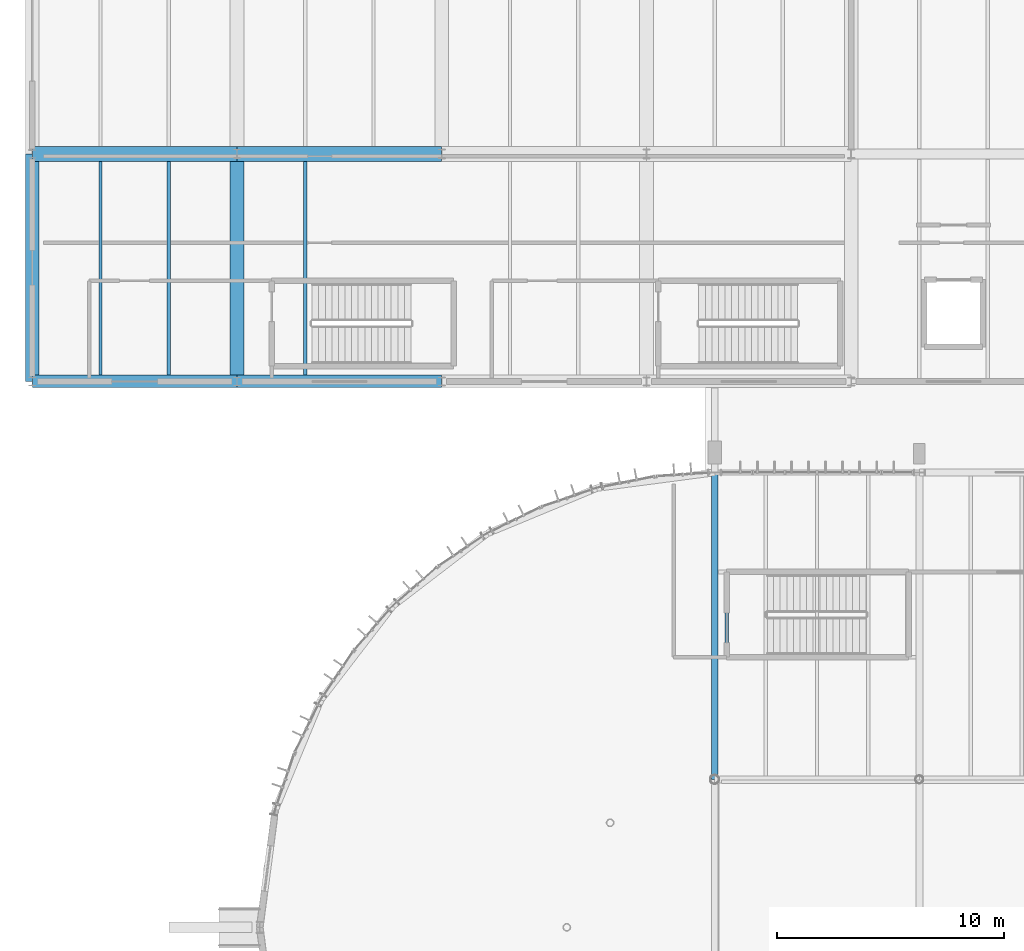
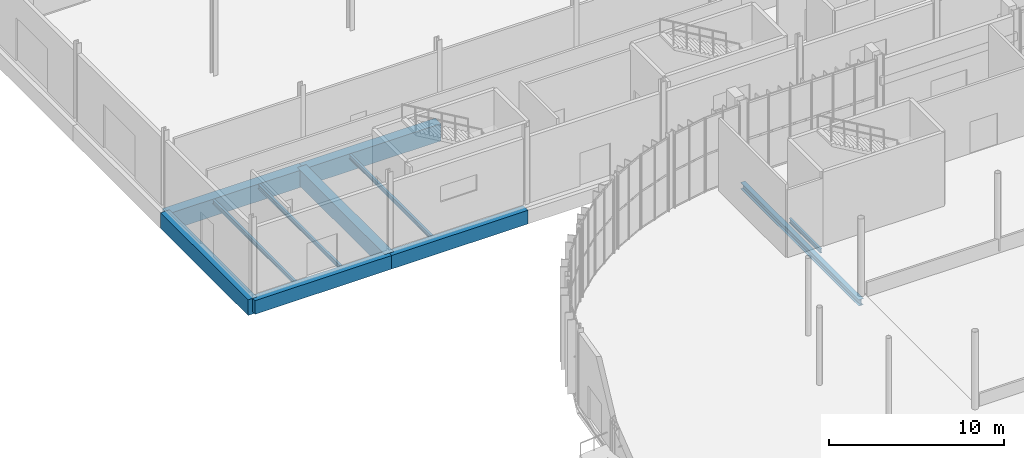
# One storey, part 58 of 158: 11 beams.
"""IFC4 building model written with IfcOpenShell, lengths in metres."""

from ifc_helpers import new_model, si_unit, derived_unit, direction, frame, origin, origin_2d, place, context, subcontext, project, spatial, rectangle, i_section, extrude, material, material_profile, profile_set, type_object, element, save


model = new_model("IFC4")

# Units and contexts
model_context = context("Model", 3, precision=1e-05, world=origin(), true_north=direction((0.0, 1.0)))
body_context = subcontext(model_context, "Body", "Model", "MODEL_VIEW")
ifc_project = project(units=[si_unit("LENGTHUNIT", "METRE"), si_unit("AREAUNIT", "SQUARE_METRE"), si_unit("VOLUMEUNIT", "CUBIC_METRE"), si_unit("PLANEANGLEUNIT", "RADIAN"), si_unit("MASSUNIT", "GRAM", prefix="KILO"), si_unit("THERMODYNAMICTEMPERATUREUNIT", "KELVIN"), si_unit("TIMEUNIT", "SECOND"), derived_unit("THERMALTRANSMITTANCEUNIT", [(si_unit("MASSUNIT", "GRAM", prefix="KILO"), 1), (si_unit("THERMODYNAMICTEMPERATUREUNIT", "KELVIN"), -1), (si_unit("TIMEUNIT", "SECOND"), -3)])], contexts=[model_context])

# Site, building, storey
site_placement = place(None, origin())
site = spatial("IfcSite", under=ifc_project, at=site_placement, CompositionType="ELEMENT")
building_placement = place(site_placement, origin())
building = spatial("IfcBuilding", under=site, at=building_placement, Name="Cambertide Market Hall", CompositionType="ELEMENT")
storey_placement = place(building_placement, origin())
storey = spatial("IfcBuildingStorey", under=building, at=storey_placement, Name="L01", CompositionType="ELEMENT", Elevation=0.0)

# Beams
ifc_material_1 = material(Name="Concrete B35", Category="concrete")
ifc_material_profile_1 = material_profile(ifc_material_1, rectangle(XDim=0.550048828125, YDim=0.949951171875, at=origin_2d()), Name="RC 550x950")
ifc_profile_set_1 = profile_set([ifc_material_profile_1], Name="Concrete B35")
beam_type_1 = type_object("IfcBeamType", Name="Concrete T-Beam RC 550x950", PredefinedType="T_BEAM", material=ifc_profile_set_1)
for number, where, z_axis, x_axis, name in (
    (1, (12.0, 96.0, -0.8349609375), (1.0, 0.0, 0.0), (0.0, 1.0, 0.0), "Level 1 T_Beam BM-V2X-L01-1-1"),
    (2, (21.0, 96.0, -0.8349609375), (1.0, 0.0, 0.0), (0.0, 1.0, 0.0), "Level 1 T_Beam BM-V2X-L01-2-1"),
):
    element("IfcBeam", number, at=place(storey_placement, frame(where, z_axis=z_axis, x_axis=x_axis)), inside=storey, type_object=beam_type_1, Name=name, PredefinedType="T_BEAM", context=body_context, shape_type="SweptSolid", body=[
        extrude(rectangle(XDim=0.550048828125, YDim=0.949951171875, at=origin_2d()), origin(), (0.0, 0.0, 1.0), 9.0),
    ])
ifc_material_2 = material(Name="Concrete B35", Category="concrete")
ifc_material_profile_2 = material_profile(ifc_material_2, rectangle(XDim=0.60009765625, YDim=1.10009765625, at=origin_2d()), Name="RC 600x1100")
ifc_profile_set_2 = profile_set([ifc_material_profile_2], Name="Concrete B35")
beam_type_2 = type_object("IfcBeamType", Name="Concrete T-Beam RC 600x1100", PredefinedType="T_BEAM", material=ifc_profile_set_2)
for number, where, z_axis, x_axis, name in (
    (3, (12.0, 96.0, -0.909912109375), (0.0, 1.0, 0.0), (-1.0, 0.0, 0.0), "Level 1 T_Beam BM-V2Y-L01-1-1"),
    (4, (21.0, 96.0, -0.909912109375), (0.0, 1.0, 0.0), (-1.0, 0.0, 0.0), "Level 1 T_Beam BM-V2Y-L01-2-1"),
):
    element("IfcBeam", number, at=place(storey_placement, frame(where, z_axis=z_axis, x_axis=x_axis)), inside=storey, type_object=beam_type_2, Name=name, PredefinedType="T_BEAM", context=body_context, shape_type="SweptSolid", body=[
        extrude(rectangle(XDim=0.60009765625, YDim=1.10009765625, at=origin_2d()), origin(), (0.0, 0.0, 1.0), 10.0),
    ])
ifc_material_3 = material(Name="Concrete B35", Category="concrete")
ifc_material_profile_3 = material_profile(ifc_material_3, rectangle(XDim=0.64990234375, YDim=1.199951171875, at=origin_2d()), Name="RC 650x1200")
ifc_profile_set_3 = profile_set([ifc_material_profile_3], Name="Concrete B35")
beam_type_3 = type_object("IfcBeamType", Name="Concrete T-Beam RC 650x1200", PredefinedType="T_BEAM", material=ifc_profile_set_3)
for number, where, z_axis, x_axis, name in (
    (5, (12.0, 106.0, -0.9599609375), (1.0, 0.0, 0.0), (0.0, 1.0, 0.0), "Level 1 T_Beam BM-V2X-L01-1-2"),
    (6, (21.0, 106.0, -0.9599609375), (1.0, 0.0, 0.0), (0.0, 1.0, 0.0), "Level 1 T_Beam BM-V2X-L01-2-2"),
):
    element("IfcBeam", number, at=place(storey_placement, frame(where, z_axis=z_axis, x_axis=x_axis)), inside=storey, type_object=beam_type_3, Name=name, PredefinedType="T_BEAM", context=body_context, shape_type="SweptSolid", body=[
        extrude(rectangle(XDim=0.64990234375, YDim=1.199951171875, at=origin_2d()), origin(), (0.0, 0.0, 1.0), 9.0),
    ])
ifc_material_4 = material(Name="Steel S355", Category="steel")
ifc_material_profile_4 = material_profile(ifc_material_4, i_section(OverallWidth=0.300048828125, OverallDepth=0.449951171875, WebThickness=0.013916015625, FlangeThickness=0.02587890625, FilletRadius=0.027099609375, at=origin_2d()), Name="HEB 450")
ifc_profile_set_4 = profile_set([ifc_material_profile_4], Name="Steel S355")
beam_type_4 = type_object("IfcBeamType", Name="Steel Girder HEB 450", PredefinedType="BEAM", material=ifc_profile_set_4)
beam_1_placement = place(storey_placement, frame((42.0, 78.5, -0.534912109375), z_axis=(0.0, 1.0, 0.0), x_axis=(-1.0, 0.0, 0.0)))
element("IfcBeam", 7, at=beam_1_placement, inside=storey, type_object=beam_type_4, Name="Level 1 Beam BM-V1TN-L01-1", PredefinedType="BEAM", context=body_context, shape_type="SweptSolid", body=[
    extrude(i_section(OverallWidth=0.300048828125, OverallDepth=0.449951171875, WebThickness=0.013916015625, FlangeThickness=0.02587890625, FilletRadius=0.027099609375, at=origin_2d()), origin(), (0.0, 0.0, 1.0), 13.5),
])
ifc_material_5 = material(Name="Steel S275", Category="steel")
ifc_material_profile_5 = material_profile(ifc_material_5, i_section(OverallWidth=0.14990234375, OverallDepth=0.300048828125, WebThickness=0.007080078125, FlangeThickness=0.0107421875, FilletRadius=0.014892578125, at=origin_2d()), Name="IPE 300")
ifc_profile_set_5 = profile_set([ifc_material_profile_5], Name="Steel S275")
beam_type_5 = type_object("IfcBeamType", Name="Steel Secondary Joist IPE 300", PredefinedType="JOIST", material=ifc_profile_set_5)
for number, where, z_axis, x_axis, name in (
    (8, (15.0, 96.282958984375, -0.510009765625), (0.0, 1.0, 0.0), (-1.0, 0.0, 0.0), "Level 1 Joist JS-V2-L01-1-1-1"),
    (9, (18.0, 96.282958984375, -0.510009765625), (0.0, 1.0, 0.0), (-1.0, 0.0, 0.0), "Level 1 Joist JS-V2-L01-1-1-2"),
    (10, (24.0, 96.282958984375, -0.510009765625), (0.0, 1.0, 0.0), (-1.0, 0.0, 0.0), "Level 1 Joist JS-V2-L01-2-1-1"),
):
    element("IfcBeam", number, at=place(storey_placement, frame(where, z_axis=z_axis, x_axis=x_axis)), inside=storey, type_object=beam_type_5, Name=name, PredefinedType="JOIST", context=body_context, shape_type="SweptSolid", body=[
        extrude(i_section(OverallWidth=0.14990234375, OverallDepth=0.300048828125, WebThickness=0.007080078125, FlangeThickness=0.0107421875, FilletRadius=0.014892578125, at=origin_2d()), origin(), (0.0, 0.0, 1.0), 9.384033203125),
    ])
beam_2_placement = place(storey_placement, frame((42.52490234375, 83.968017578125, -0.449951171875), z_axis=(0.0, 1.0, 0.0), x_axis=(-1.0, 0.0, 0.0)))
element("IfcBeam", 11, at=beam_2_placement, inside=storey, type_object=beam_type_5, Name="Level 1 Joist BM-ST01-SHWN", PredefinedType="JOIST", context=body_context, shape_type="SweptSolid", body=[
    extrude(i_section(OverallWidth=0.14990234375, OverallDepth=0.300048828125, WebThickness=0.007080078125, FlangeThickness=0.0107421875, FilletRadius=0.014892578125, at=origin_2d()), origin(), (0.0, 0.0, 1.0), 3.56396484375),
])

save(model, "model.ifc")
